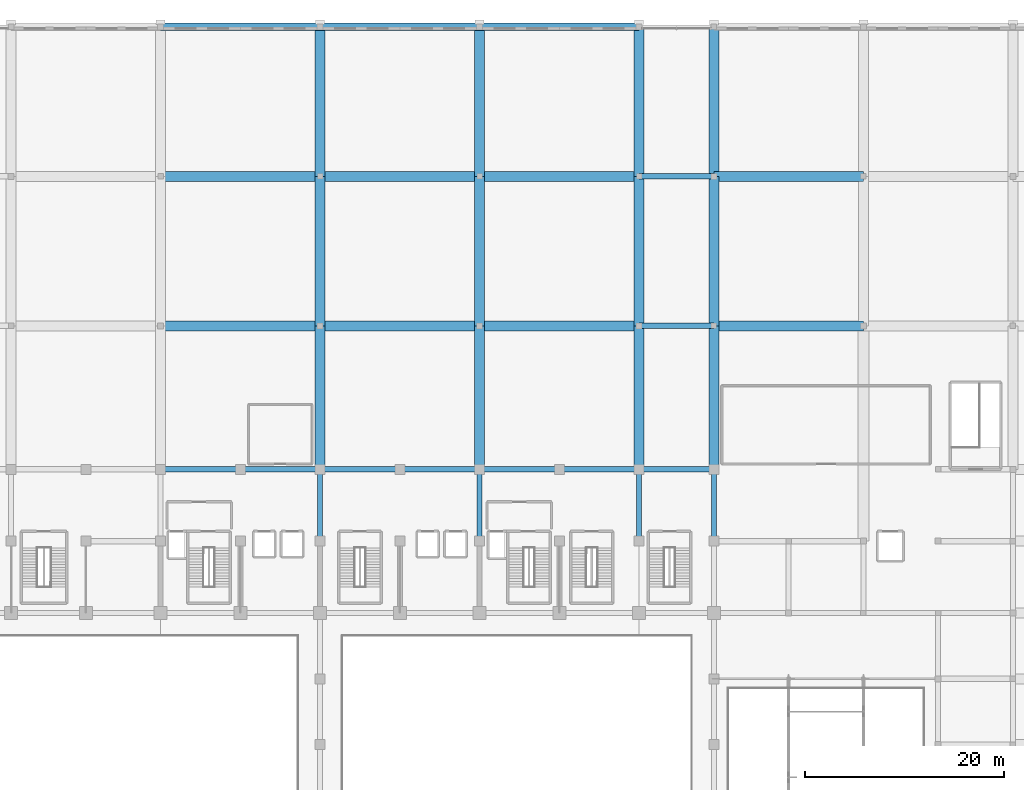
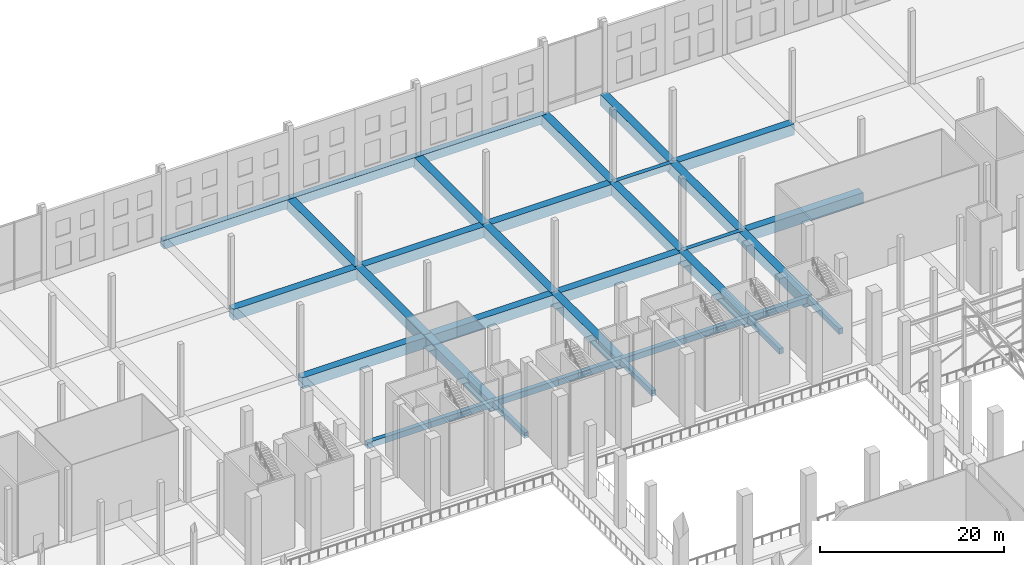
# One storey, part 38 of 80: 36 beams.
"""IFC4 building model written with IfcOpenShell, lengths in metres."""

from ifc_helpers import new_model, si_unit, direction, frame, origin, origin_2d, place, context, subcontext, project, spatial, rectangle, extrude, material, material_profile, profile_set, type_object, element, save


model = new_model("IFC4")

# Units and contexts
model_context = context("Model", 3, precision=1e-05, world=origin(), true_north=direction((0.0, 1.0)))
body_context = subcontext(model_context, "Body", "Model", "MODEL_VIEW")
ifc_project = project(units=[si_unit("LENGTHUNIT", "METRE"), si_unit("AREAUNIT", "SQUARE_METRE"), si_unit("VOLUMEUNIT", "CUBIC_METRE"), si_unit("PLANEANGLEUNIT", "RADIAN"), si_unit("MASSUNIT", "GRAM", prefix="KILO")], contexts=[model_context])

# Site, building, storey
site_placement = place(None, origin())
site = spatial("IfcSite", under=ifc_project, at=site_placement, CompositionType="ELEMENT")
building_placement = place(site_placement, origin())
building = spatial("IfcBuilding", under=site, at=building_placement, Name="Akrevak Sports Hall", CompositionType="ELEMENT")
storey_placement = place(building_placement, frame((0.0, 0.0, 14.0)))
storey = spatial("IfcBuildingStorey", under=building, at=storey_placement, Name="L03", CompositionType="ELEMENT", Elevation=14.0)

# Beams
ifc_material_1 = material(Name="Concrete C50/60", Category="concrete")
ifc_material_profile_1 = material_profile(ifc_material_1, rectangle(XDim=1.0, YDim=1.449951171875, at=origin_2d()), Name="BM 1000x1450", Category="concrete")
ifc_profile_set_1 = profile_set([ifc_material_profile_1], Name="Concrete C50/60")
beam_type_1 = type_object("IfcBeamType", Name="STR-BM-LG1000x1450", PredefinedType="BEAM", material=ifc_profile_set_1)
for number, where, z_axis, x_axis, name in (
    (1, (60.0, 84.0, -0.72509765625), (1.0, 0.0, 0.0), (0.0, 1.0, 0.0), "Girder M/9-11 (L03)"),
    (2, (76.0, 84.0, -0.72509765625), (1.0, 0.0, 0.0), (0.0, 1.0, 0.0), "Girder M/11-13 (L03)"),
    (3, (92.0, 84.0, -0.72509765625), (1.0, 0.0, 0.0), (0.0, 1.0, 0.0), "Girder M/13-15 (L03)"),
):
    element("IfcBeam", number, at=place(storey_placement, frame(where, z_axis=z_axis, x_axis=x_axis)), inside=storey, type_object=beam_type_1, Name=name, PredefinedType="BEAM", context=body_context, shape_type="SweptSolid", body=[
        extrude(rectangle(XDim=1.0, YDim=1.449951171875, at=origin_2d()), origin(), (0.0, 0.0, 1.0), 16.0),
    ])
beam_1_placement = place(storey_placement, frame((115.5, 84.0, -0.72509765625), z_axis=(1.0, 0.0, 0.0), x_axis=(0.0, 1.0, 0.0)))
element("IfcBeam", 4, at=beam_1_placement, inside=storey, type_object=beam_type_1, Name="Girder M/16-18 (L03)", PredefinedType="BEAM", context=body_context, shape_type="SweptSolid", body=[
    extrude(rectangle(XDim=1.0, YDim=1.449951171875, at=origin_2d()), origin(), (0.0, 0.0, 1.0), 15.0),
])
for number, where, z_axis, x_axis, name in (
    (5, (60.0, 99.0, -0.72509765625), (1.0, 0.0, 0.0), (0.0, 1.0, 0.0), "Girder O/9-11 (L03)"),
    (6, (76.0, 99.0, -0.72509765625), (1.0, 0.0, 0.0), (0.0, 1.0, 0.0), "Girder O/11-13 (L03)"),
    (7, (92.0, 99.0, -0.72509765625), (1.0, 0.0, 0.0), (0.0, 1.0, 0.0), "Girder O/13-15 (L03)"),
):
    element("IfcBeam", number, at=place(storey_placement, frame(where, z_axis=z_axis, x_axis=x_axis)), inside=storey, type_object=beam_type_1, Name=name, PredefinedType="BEAM", context=body_context, shape_type="SweptSolid", body=[
        extrude(rectangle(XDim=1.0, YDim=1.449951171875, at=origin_2d()), origin(), (0.0, 0.0, 1.0), 16.0),
    ])
beam_2_placement = place(storey_placement, frame((115.5, 99.0, -0.72509765625), z_axis=(1.0, 0.0, 0.0), x_axis=(0.0, 1.0, 0.0)))
element("IfcBeam", 8, at=beam_2_placement, inside=storey, type_object=beam_type_1, Name="Girder O/16-18 (L03)", PredefinedType="BEAM", context=body_context, shape_type="SweptSolid", body=[
    extrude(rectangle(XDim=1.0, YDim=1.449951171875, at=origin_2d()), origin(), (0.0, 0.0, 1.0), 15.0),
])
beam_3_placement = place(storey_placement, frame((76.0, 69.60009765625, -0.72509765625), z_axis=(0.0, 1.0, 0.0), x_axis=(-1.0, 0.0, 0.0)))
element("IfcBeam", 9, at=beam_3_placement, inside=storey, type_object=beam_type_1, Name="Girder 11/K-M (L03)", PredefinedType="BEAM", context=body_context, shape_type="SweptSolid", body=[
    extrude(rectangle(XDim=1.0, YDim=1.449951171875, at=origin_2d()), origin(), (0.0, 0.0, 1.0), 14.39990234375),
])
for number, where, z_axis, x_axis, name in (
    (10, (76.0, 84.0, -0.72509765625), (0.0, 1.0, 0.0), (-1.0, 0.0, 0.0), "Girder 11/M-O (L03)"),
    (11, (76.0, 99.0, -0.72509765625), (0.0, 1.0, 0.0), (-1.0, 0.0, 0.0), "Girder 11/O-Q (L03)"),
):
    element("IfcBeam", number, at=place(storey_placement, frame(where, z_axis=z_axis, x_axis=x_axis)), inside=storey, type_object=beam_type_1, Name=name, PredefinedType="BEAM", context=body_context, shape_type="SweptSolid", body=[
        extrude(rectangle(XDim=1.0, YDim=1.449951171875, at=origin_2d()), origin(), (0.0, 0.0, 1.0), 15.0),
    ])
beam_4_placement = place(storey_placement, frame((92.0, 69.60009765625, -0.72509765625), z_axis=(0.0, 1.0, 0.0), x_axis=(-1.0, 0.0, 0.0)))
element("IfcBeam", 12, at=beam_4_placement, inside=storey, type_object=beam_type_1, Name="Girder 13/K-M (L03)", PredefinedType="BEAM", context=body_context, shape_type="SweptSolid", body=[
    extrude(rectangle(XDim=1.0, YDim=1.449951171875, at=origin_2d()), origin(), (0.0, 0.0, 1.0), 14.39990234375),
])
for number, where, z_axis, x_axis, name in (
    (13, (92.0, 84.0, -0.72509765625), (0.0, 1.0, 0.0), (-1.0, 0.0, 0.0), "Girder 13/M-O (L03)"),
    (14, (92.0, 99.0, -0.72509765625), (0.0, 1.0, 0.0), (-1.0, 0.0, 0.0), "Girder 13/O-Q (L03)"),
):
    element("IfcBeam", number, at=place(storey_placement, frame(where, z_axis=z_axis, x_axis=x_axis)), inside=storey, type_object=beam_type_1, Name=name, PredefinedType="BEAM", context=body_context, shape_type="SweptSolid", body=[
        extrude(rectangle(XDim=1.0, YDim=1.449951171875, at=origin_2d()), origin(), (0.0, 0.0, 1.0), 15.0),
    ])
beam_5_placement = place(storey_placement, frame((108.0, 69.60009765625, -0.72509765625), z_axis=(0.0, 1.0, 0.0), x_axis=(-1.0, 0.0, 0.0)))
element("IfcBeam", 15, at=beam_5_placement, inside=storey, type_object=beam_type_1, Name="Girder 15/K-M (L03)", PredefinedType="BEAM", context=body_context, shape_type="SweptSolid", body=[
    extrude(rectangle(XDim=1.0, YDim=1.449951171875, at=origin_2d()), origin(), (0.0, 0.0, 1.0), 14.39990234375),
])
for number, where, z_axis, x_axis, name in (
    (16, (108.0, 84.0, -0.72509765625), (0.0, 1.0, 0.0), (-1.0, 0.0, 0.0), "Girder 15/M-O (L03)"),
    (17, (108.0, 99.0, -0.72509765625), (0.0, 1.0, 0.0), (-1.0, 0.0, 0.0), "Girder 15/O-Q (L03)"),
):
    element("IfcBeam", number, at=place(storey_placement, frame(where, z_axis=z_axis, x_axis=x_axis)), inside=storey, type_object=beam_type_1, Name=name, PredefinedType="BEAM", context=body_context, shape_type="SweptSolid", body=[
        extrude(rectangle(XDim=1.0, YDim=1.449951171875, at=origin_2d()), origin(), (0.0, 0.0, 1.0), 15.0),
    ])
beam_6_placement = place(storey_placement, frame((115.5, 69.60009765625, -0.72509765625), z_axis=(0.0, 1.0, 0.0), x_axis=(-1.0, 0.0, 0.0)))
element("IfcBeam", 18, at=beam_6_placement, inside=storey, type_object=beam_type_1, Name="Girder 16/K-M (L03)", PredefinedType="BEAM", context=body_context, shape_type="SweptSolid", body=[
    extrude(rectangle(XDim=1.0, YDim=1.449951171875, at=origin_2d()), origin(), (0.0, 0.0, 1.0), 14.39990234375),
])
for number, where, z_axis, x_axis, name in (
    (19, (115.5, 84.0, -0.72509765625), (0.0, 1.0, 0.0), (-1.0, 0.0, 0.0), "Girder 16/M-O (L03)"),
    (20, (115.5, 99.0, -0.72509765625), (0.0, 1.0, 0.0), (-1.0, 0.0, 0.0), "Girder 16/O-Q (L03)"),
):
    element("IfcBeam", number, at=place(storey_placement, frame(where, z_axis=z_axis, x_axis=x_axis)), inside=storey, type_object=beam_type_1, Name=name, PredefinedType="BEAM", context=body_context, shape_type="SweptSolid", body=[
        extrude(rectangle(XDim=1.0, YDim=1.449951171875, at=origin_2d()), origin(), (0.0, 0.0, 1.0), 15.0),
    ])
ifc_material_2 = material(Name="Concrete C40/50", Category="concrete")
ifc_material_profile_2 = material_profile(ifc_material_2, rectangle(XDim=0.5, YDim=0.75, at=origin_2d()), Name="BM 500x750", Category="concrete")
ifc_profile_set_2 = profile_set([ifc_material_profile_2], Name="Concrete C40/50")
beam_type_2 = type_object("IfcBeamType", Name="STR-BM-RC500x750", PredefinedType="BEAM", material=ifc_profile_set_2)
for number, where, z_axis, x_axis, name in (
    (21, (76.0, 62.39990234375, -0.375), (0.0, 1.0, 0.0), (-1.0, 0.0, 0.0), "Girder 11/J-K (L03)"),
    (22, (92.0, 62.39990234375, -0.375), (0.0, 1.0, 0.0), (-1.0, 0.0, 0.0), "Girder 13/J-K (L03)"),
    (23, (108.0, 62.39990234375, -0.375), (0.0, 1.0, 0.0), (-1.0, 0.0, 0.0), "Girder 15/J-K (L03)"),
    (24, (115.5, 62.39990234375, -0.375), (0.0, 1.0, 0.0), (-1.0, 0.0, 0.0), "Girder 16/J-K (L03)"),
):
    element("IfcBeam", number, at=place(storey_placement, frame(where, z_axis=z_axis, x_axis=x_axis)), inside=storey, type_object=beam_type_2, Name=name, PredefinedType="BEAM", context=body_context, shape_type="SweptSolid", body=[
        extrude(rectangle(XDim=0.5, YDim=0.75, at=origin_2d()), origin(), (0.0, 0.0, 1.0), 7.2001953125),
    ])
ifc_material_profile_3 = material_profile(ifc_material_2, rectangle(XDim=0.550048828125, YDim=0.800048828125, at=origin_2d()), Name="BM 550x800", Category="concrete")
ifc_profile_set_3 = profile_set([ifc_material_profile_3], Name="Concrete C40/50")
beam_type_3 = type_object("IfcBeamType", Name="STR-BM-RC550x800", PredefinedType="BEAM", material=ifc_profile_set_3)
for number, where, z_axis, x_axis, name in (
    (25, (60.0, 69.60009765625, -0.39990234375), (1.0, 0.0, 0.0), (0.0, 1.0, 0.0), "Girder K/9-10 (L03)"),
    (26, (68.0, 69.60009765625, -0.39990234375), (1.0, 0.0, 0.0), (0.0, 1.0, 0.0), "Girder K/10-11 (L03)"),
    (27, (76.0, 69.60009765625, -0.39990234375), (1.0, 0.0, 0.0), (0.0, 1.0, 0.0), "Girder K/11-12 (L03)"),
    (28, (84.0, 69.60009765625, -0.39990234375), (1.0, 0.0, 0.0), (0.0, 1.0, 0.0), "Girder K/12-13 (L03)"),
    (29, (92.0, 69.60009765625, -0.39990234375), (1.0, 0.0, 0.0), (0.0, 1.0, 0.0), "Girder K/13-14 (L03)"),
    (30, (100.0, 69.60009765625, -0.39990234375), (1.0, 0.0, 0.0), (0.0, 1.0, 0.0), "Girder K/14-15 (L03)"),
):
    element("IfcBeam", number, at=place(storey_placement, frame(where, z_axis=z_axis, x_axis=x_axis)), inside=storey, type_object=beam_type_3, Name=name, PredefinedType="BEAM", context=body_context, shape_type="SweptSolid", body=[
        extrude(rectangle(XDim=0.550048828125, YDim=0.800048828125, at=origin_2d()), origin(), (0.0, 0.0, 1.0), 8.0),
    ])
for number, where, z_axis, x_axis, name in (
    (31, (108.0, 69.60009765625, -0.39990234375), (1.0, 0.0, 0.0), (0.0, 1.0, 0.0), "Girder K/15-16 (L03)"),
    (32, (108.0, 84.0, -0.39990234375), (1.0, 0.0, 0.0), (0.0, 1.0, 0.0), "Girder M/15-16 (L03)"),
    (33, (108.0, 99.0, -0.39990234375), (1.0, 0.0, 0.0), (0.0, 1.0, 0.0), "Girder O/15-16 (L03)"),
):
    element("IfcBeam", number, at=place(storey_placement, frame(where, z_axis=z_axis, x_axis=x_axis)), inside=storey, type_object=beam_type_3, Name=name, PredefinedType="BEAM", context=body_context, shape_type="SweptSolid", body=[
        extrude(rectangle(XDim=0.550048828125, YDim=0.800048828125, at=origin_2d()), origin(), (0.0, 0.0, 1.0), 7.5),
    ])
ifc_material_profile_4 = material_profile(ifc_material_1, rectangle(XDim=0.75, YDim=1.14990234375, at=origin_2d()), Name="SPD 750x1150", Category="concrete")
ifc_profile_set_4 = profile_set([ifc_material_profile_4], Name="Concrete C50/60")
beam_type_4 = type_object("IfcBeamType", Name="STR-SPD-LSP750x1150", PredefinedType="SPANDREL", material=ifc_profile_set_4)
for number, where, z_axis, x_axis, name in (
    (34, (60.0, 114.0, -0.574951171875), (1.0, 0.0, 0.0), (0.0, 1.0, 0.0), "Girder Q/9-11 (L03)"),
    (35, (76.0, 114.0, -0.574951171875), (1.0, 0.0, 0.0), (0.0, 1.0, 0.0), "Girder Q/11-13 (L03)"),
    (36, (92.0, 114.0, -0.574951171875), (1.0, 0.0, 0.0), (0.0, 1.0, 0.0), "Girder Q/13-15 (L03)"),
):
    element("IfcBeam", number, at=place(storey_placement, frame(where, z_axis=z_axis, x_axis=x_axis)), inside=storey, type_object=beam_type_4, Name=name, PredefinedType="SPANDREL", context=body_context, shape_type="SweptSolid", body=[
        extrude(rectangle(XDim=0.75, YDim=1.14990234375, at=origin_2d()), origin(), (0.0, 0.0, 1.0), 16.0),
    ])

save(model, "model.ifc")
